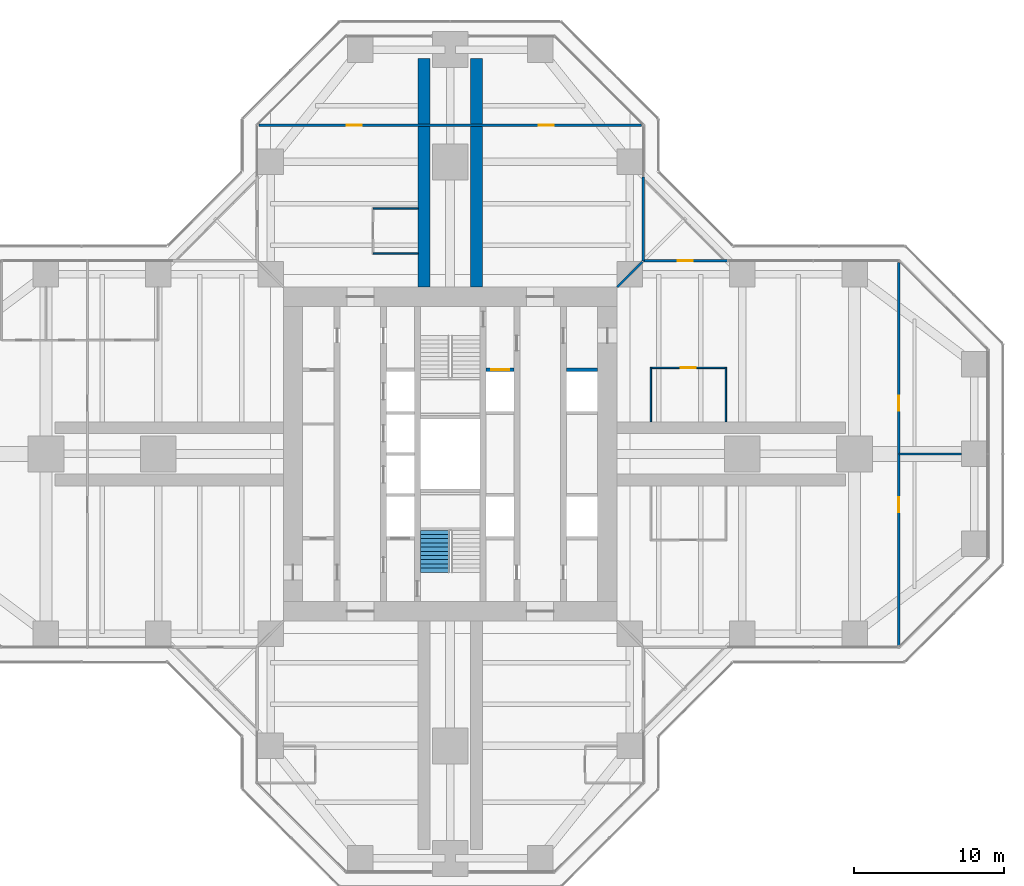
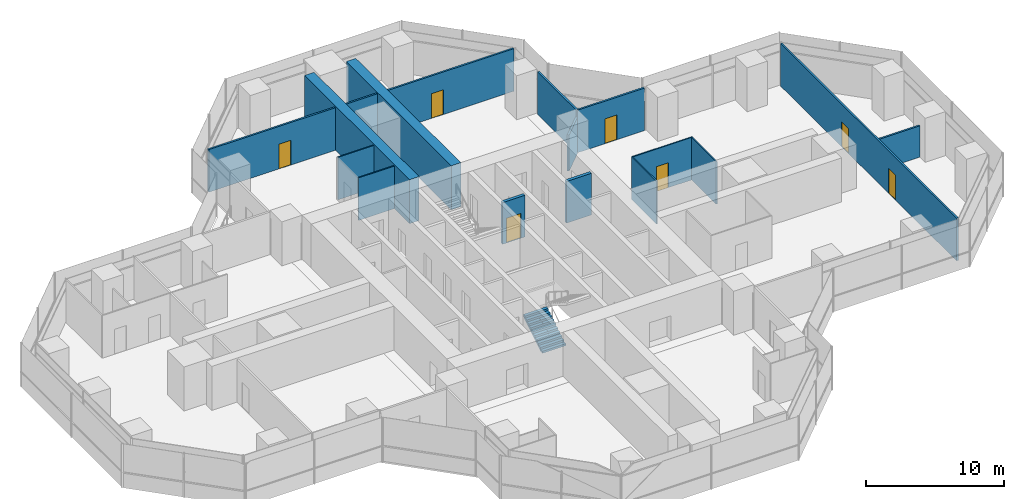
# One storey, part 17 of 19: 15 walls, 7 doors, 1 stair flight, 7 openings, 1 element without a shape of its own.
"""IFC4 building model written with IfcOpenShell, lengths in metres."""

from ifc_helpers import new_model, si_unit, direction, frame, frame_2d, origin, place, context, subcontext, project, spatial, polyline, rectangle, outline, extrude, material, layer, layer_set, type_object, element, fill, aggregate, save


model = new_model("IFC4")

# Units and contexts
model_context = context("Model", 3, precision=1e-05, world=origin(), true_north=direction((0.0, 1.0)))
body_context = subcontext(model_context, "Body", "Model", "MODEL_VIEW")
ifc_project = project(units=[si_unit("LENGTHUNIT", "METRE"), si_unit("AREAUNIT", "SQUARE_METRE"), si_unit("VOLUMEUNIT", "CUBIC_METRE"), si_unit("PLANEANGLEUNIT", "RADIAN"), si_unit("MASSUNIT", "GRAM", prefix="KILO")], contexts=[model_context])

# Site, building, storey
site_placement = place(None, origin())
site = spatial("IfcSite", under=ifc_project, at=site_placement, CompositionType="ELEMENT")
building_placement = place(site_placement, origin())
building = spatial("IfcBuilding", under=site, at=building_placement, Name="Mizan Broadcast Tower", CompositionType="ELEMENT")
storey_placement = place(building_placement, frame((0.0, 0.0, 167.10009765625)))
storey = spatial("IfcBuildingStorey", under=building, at=storey_placement, Name="L38", CompositionType="ELEMENT", Elevation=167.10009765625)

# Wall, opening, door
ifc_material_1 = material(Name="Aluminium framed glazed screen", Category="aluminium")
ifc_layer_1 = layer(ifc_material_1, 0.159912109375)
ifc_layer_set_1 = layer_set([ifc_layer_1], Name="Aluminium framed glazed screen")
wall_type_1 = type_object("IfcWallType", Name="GLAZED SCREEN WALL 160", PredefinedType="SOLIDWALL", material=ifc_layer_set_1)
wall_1_placement = place(storey_placement, frame((18.5, 12.89990234375, 0.0), z_axis=(0.0, 0.0, 1.0), x_axis=(-1.0, 0.0, 0.0)))
wall_1 = element("IfcWall", 1, at=wall_1_placement, inside=storey, type_object=wall_type_1, Name="Winter garden screen L38 E", PredefinedType="SOLIDWALL", context=body_context, shape_type="SweptSolid", body=[
    extrude(rectangle(XDim=5.60009765625, YDim=0.159912109375, at=frame_2d((2.800048828125, 0.0))), origin(), (0.0, 0.0, 1.0), 3.77001953125),
])
opening_1_placement = place(wall_1_placement, frame((2.300048828125, 0.0, 0.0)))
opening_1 = element("IfcOpeningElement", 2, at=opening_1_placement, cuts=wall_1, Name="Opening WGD", PredefinedType="OPENING", context=body_context, shape_type="SweptSolid", body=[
    extrude(rectangle(XDim=1.0, YDim=2.199951171875, at=frame_2d((0.5, 1.10009765625))), frame((0.0, 0.08984375, 0.0), z_axis=(0.0, -1.0, 0.0), x_axis=(1.0, 0.0, 0.0)), (0.0, 0.0, 1.0), 0.179931640625),
])
ifc_material_2 = material(Name="Aluminium framed glazed door", Category="aluminium")
door_type_1 = type_object("IfcDoorType", Name="WINTER GARDEN DOOR 1000 GLAZED", OperationType="SINGLE_SWING_LEFT", PredefinedType="DOOR", material=ifc_material_2)
door_1_placement = place(opening_1_placement, origin())
door_1 = element("IfcDoor", 3, at=door_1_placement, inside=storey, type_object=door_type_1, Name="Winter garden door L38 E", OperationType="SINGLE_SWING_RIGHT", OverallHeight=2.199951171875, OverallWidth=1.0, PredefinedType="DOOR", context=body_context, shape_type="SweptSolid", body=[
    extrude(rectangle(XDim=1.0, YDim=2.199951171875, at=frame_2d((0.5, 1.10009765625))), frame((0.0, 0.02490234375, 0.0), z_axis=(0.0, -1.0, 0.0), x_axis=(1.0, 0.0, 0.0)), (0.0, 0.0, 1.0), 0.050048828125),
])
fill(opening_1, door_1)

# Wall
wall_2_placement = place(storey_placement, frame((12.89990234375, 12.89990234375, 0.0), z_axis=(0.0, 0.0, 1.0), x_axis=(0.0, 1.0, 0.0)))
element("IfcWall", 4, at=wall_2_placement, inside=storey, type_object=wall_type_1, Name="Winter garden screen L38 N", PredefinedType="SOLIDWALL", context=body_context, shape_type="SweptSolid", body=[
    extrude(rectangle(XDim=5.60009765625, YDim=0.159912109375, at=frame_2d((2.800048828125, 0.0))), origin(), (0.0, 0.0, 1.0), 3.77001953125),
])

# Wall, opening, door
ifc_material_3 = material(Name="Concrete blockwork", Category="masonry")
ifc_layer_2 = layer(ifc_material_3, 0.25)
ifc_layer_set_2 = layer_set([ifc_layer_2], Name="Concrete blockwork")
wall_type_2 = type_object("IfcWallType", Name="LOBBY ENCLOSURE WALL 250", PredefinedType="SOLIDWALL", material=ifc_layer_set_2)
wall_3_placement = place(storey_placement, frame((2.39990234375, 5.625, 0.0), z_axis=(0.0, 0.0, 1.0), x_axis=(1.0, 0.0, 0.0)))
wall_3 = element("IfcWall", 5, at=wall_3_placement, inside=storey, type_object=wall_type_2, Name="Lobby enclosure wall CORE/BE2N", PredefinedType="SOLIDWALL", context=body_context, shape_type="SweptSolid", body=[
    extrude(rectangle(XDim=1.85009765625, YDim=0.25, at=frame_2d((0.925048828125, 0.0))), origin(), (0.0, 0.0, 1.0), 3.699951171875),
])
opening_2_placement = place(wall_3_placement, frame((0.324951171875, 0.0, 0.0)))
opening_2 = element("IfcOpeningElement", 6, at=opening_2_placement, cuts=wall_3, Name="Opening LDF", PredefinedType="OPENING", context=body_context, shape_type="SweptSolid", body=[
    extrude(rectangle(XDim=1.199951171875, YDim=2.199951171875, at=frame_2d((0.60009765625, 1.10009765625))), frame((0.0, 0.135009765625, 0.0), z_axis=(0.0, -1.0, 0.0), x_axis=(1.0, 0.0, 0.0)), (0.0, 0.0, 1.0), 0.27001953125),
])
ifc_material_4 = material(Name="Steel door leaf in steel frame", Category="steel")
door_type_2 = type_object("IfcDoorType", Name="FIREFIGHTING LIFT LANDING DOOR 1200", OperationType="SLIDING_TO_LEFT", PredefinedType="DOOR", material=ifc_material_4)
door_2_placement = place(opening_2_placement, origin())
door_2 = element("IfcDoor", 7, at=door_2_placement, inside=storey, type_object=door_type_2, Name="Landing door FF2", OperationType="SLIDING_TO_LEFT", OverallHeight=2.199951171875, OverallWidth=1.199951171875, PredefinedType="DOOR", context=body_context, shape_type="SweptSolid", body=[
    extrude(rectangle(XDim=1.199951171875, YDim=2.199951171875, at=frame_2d((0.60009765625, 1.10009765625))), frame((0.0, 0.02490234375, 0.0), z_axis=(0.0, -1.0, 0.0), x_axis=(1.0, 0.0, 0.0)), (0.0, 0.0, 1.0), 0.050048828125),
])
fill(opening_2, door_2)

# Wall
wall_4_placement = place(storey_placement, frame((7.75, 5.625, 0.0), z_axis=(0.0, 0.0, 1.0), x_axis=(1.0, 0.0, 0.0)))
element("IfcWall", 8, at=wall_4_placement, inside=storey, type_object=wall_type_2, Name="Lobby enclosure wall CORE/BE1N", PredefinedType="SOLIDWALL", context=body_context, shape_type="SweptSolid", body=[
    extrude(rectangle(XDim=2.10009765625, YDim=0.25, at=frame_2d((1.050048828125, 0.0))), origin(), (0.0, 0.0, 1.0), 3.699951171875),
])

# Wall, openings, doors
ifc_material_5 = material(Name="Gypsum board on steel studs", Category="steel")
ifc_layer_3 = layer(ifc_material_5, 0.14990234375)
ifc_layer_set_3 = layer_set([ifc_layer_3], Name="Gypsum board on steel studs")
wall_type_3 = type_object("IfcWallType", Name="PARTITION 150", PredefinedType="PARTITIONING", material=ifc_layer_set_3)
wall_5_placement = place(storey_placement, frame((29.958984375, -12.786376953125, 0.0), z_axis=(0.0, 0.0, 1.0), x_axis=(0.0, 1.0, 0.0)))
wall_5 = element("IfcWall", 9, at=wall_5_placement, inside=storey, type_object=wall_type_3, Name="Partition PT/EX1", PredefinedType="PARTITIONING", context=body_context, shape_type="SweptSolid", body=[
    extrude(rectangle(XDim=25.57275390625, YDim=0.14990234375, at=frame_2d((12.786376953125, 0.0))), origin(), (0.0, 0.0, 1.0), 3.77001953125),
])
opening_3_placement = place(wall_5_placement, frame((15.6865234375, 0.0, 0.0)))
opening_3 = element("IfcOpeningElement", 10, at=opening_3_placement, cuts=wall_5, Name="Opening D10", PredefinedType="OPENING", context=body_context, shape_type="SweptSolid", body=[
    extrude(rectangle(XDim=1.0, YDim=2.199951171875, at=frame_2d((0.5, 1.10009765625))), frame((0.0, 0.0849609375, 0.0), z_axis=(0.0, -1.0, 0.0), x_axis=(1.0, 0.0, 0.0)), (0.0, 0.0, 1.0), 0.169921875),
])
opening_4_placement = place(wall_5_placement, frame((8.886474609375, 0.0, 0.0)))
opening_4 = element("IfcOpeningElement", 11, at=opening_4_placement, cuts=wall_5, Name="Opening D10", PredefinedType="OPENING", context=body_context, shape_type="SweptSolid", body=[
    extrude(rectangle(XDim=1.0, YDim=2.199951171875, at=frame_2d((0.5, 1.10009765625))), frame((0.0, 0.0849609375, 0.0), z_axis=(0.0, -1.0, 0.0), x_axis=(1.0, 0.0, 0.0)), (0.0, 0.0, 1.0), 0.169921875),
])
ifc_material_6 = material(Name="Timber door leaf in aluminium frame", Category="wood")
door_type_3 = type_object("IfcDoorType", Name="ROOM DOOR 1000", OperationType="SINGLE_SWING_LEFT", PredefinedType="DOOR", material=ifc_material_6)
door_3_placement = place(opening_3_placement, origin())
door_3 = element("IfcDoor", 12, at=door_3_placement, inside=storey, type_object=door_type_3, Name="Archive reading room door", OperationType="SINGLE_SWING_RIGHT", OverallHeight=2.199951171875, OverallWidth=1.0, PredefinedType="DOOR", context=body_context, shape_type="SweptSolid", body=[
    extrude(rectangle(XDim=1.0, YDim=2.199951171875, at=frame_2d((0.5, 1.10009765625))), frame((0.0, 0.02490234375, 0.0), z_axis=(0.0, -1.0, 0.0), x_axis=(1.0, 0.0, 0.0)), (0.0, 0.0, 1.0), 0.050048828125),
])
fill(opening_3, door_3)
door_4_placement = place(opening_4_placement, origin())
door_4 = element("IfcDoor", 13, at=door_4_placement, inside=storey, type_object=door_type_3, Name="Archive reading room door", OperationType="SINGLE_SWING_LEFT", OverallHeight=2.199951171875, OverallWidth=1.0, PredefinedType="DOOR", context=body_context, shape_type="SweptSolid", body=[
    extrude(rectangle(XDim=1.0, YDim=2.199951171875, at=frame_2d((0.5, 1.10009765625))), frame((0.0, 0.02490234375, 0.0), z_axis=(0.0, -1.0, 0.0), x_axis=(1.0, 0.0, 0.0)), (0.0, 0.0, 1.0), 0.050048828125),
])
fill(opening_4, door_4)

# Wall
wall_6_placement = place(storey_placement, frame((29.958984375, 0.0, 0.0), z_axis=(0.0, 0.0, 1.0), x_axis=(1.0, 0.0, 0.0)))
element("IfcWall", 14, at=wall_6_placement, inside=storey, type_object=wall_type_3, Name="Partition PT/EES", PredefinedType="PARTITIONING", context=body_context, shape_type="SweptSolid", body=[
    extrude(rectangle(XDim=4.19091796875, YDim=0.14990234375, at=frame_2d((2.095458984375, 0.0))), origin(), (0.0, 0.0, 1.0), 2.77001953125),
])

# Wall, openings, doors
wall_7_placement = place(storey_placement, frame((12.786376953125, 21.958984375, 0.0), z_axis=(0.0, 0.0, 1.0), x_axis=(-1.0, 0.0, 0.0)))
wall_7 = element("IfcWall", 15, at=wall_7_placement, inside=storey, type_object=wall_type_3, Name="Partition PT/NX1", PredefinedType="PARTITIONING", context=body_context, shape_type="SweptSolid", body=[
    extrude(rectangle(XDim=25.57275390625, YDim=0.14990234375, at=frame_2d((12.786376953125, 0.0))), origin(), (0.0, 0.0, 1.0), 3.77001953125),
])
opening_5_placement = place(wall_7_placement, frame((18.6865234375, 0.0, 0.0)))
opening_5 = element("IfcOpeningElement", 16, at=opening_5_placement, cuts=wall_7, Name="Opening D10", PredefinedType="OPENING", context=body_context, shape_type="SweptSolid", body=[
    extrude(rectangle(XDim=1.0, YDim=2.199951171875, at=frame_2d((0.5, 1.10009765625))), frame((0.0, 0.0849609375, 0.0), z_axis=(0.0, -1.0, 0.0), x_axis=(1.0, 0.0, 0.0)), (0.0, 0.0, 1.0), 0.169921875),
])
opening_6_placement = place(wall_7_placement, frame((5.886474609375, 0.0, 0.0)))
opening_6 = element("IfcOpeningElement", 17, at=opening_6_placement, cuts=wall_7, Name="Opening D10", PredefinedType="OPENING", context=body_context, shape_type="SweptSolid", body=[
    extrude(rectangle(XDim=1.0, YDim=2.199951171875, at=frame_2d((0.5, 1.10009765625))), frame((0.0, 0.0849609375, 0.0), z_axis=(0.0, -1.0, 0.0), x_axis=(1.0, 0.0, 0.0)), (0.0, 0.0, 1.0), 0.169921875),
])
door_5_placement = place(opening_5_placement, origin())
door_5 = element("IfcDoor", 18, at=door_5_placement, inside=storey, type_object=door_type_3, Name="Meeting room door", OperationType="SINGLE_SWING_RIGHT", OverallHeight=2.199951171875, OverallWidth=1.0, PredefinedType="DOOR", context=body_context, shape_type="SweptSolid", body=[
    extrude(rectangle(XDim=1.0, YDim=2.199951171875, at=frame_2d((0.5, 1.10009765625))), frame((0.0, 0.02490234375, 0.0), z_axis=(0.0, -1.0, 0.0), x_axis=(1.0, 0.0, 0.0)), (0.0, 0.0, 1.0), 0.050048828125),
])
fill(opening_5, door_5)
door_6_placement = place(opening_6_placement, origin())
door_6 = element("IfcDoor", 19, at=door_6_placement, inside=storey, type_object=door_type_3, Name="Meeting room door", OperationType="SINGLE_SWING_LEFT", OverallHeight=2.199951171875, OverallWidth=1.0, PredefinedType="DOOR", context=body_context, shape_type="SweptSolid", body=[
    extrude(rectangle(XDim=1.0, YDim=2.199951171875, at=frame_2d((0.5, 1.10009765625))), frame((0.0, 0.02490234375, 0.0), z_axis=(0.0, -1.0, 0.0), x_axis=(1.0, 0.0, 0.0)), (0.0, 0.0, 1.0), 0.050048828125),
])
fill(opening_6, door_6)

# Walls
wall_8_placement = place(storey_placement, frame((11.14990234375, 11.14990234375, 0.0), z_axis=(0.0, 0.0, 1.0), x_axis=(0.707106781187, 0.707106781187, 0.0)))
element("IfcWall", 20, at=wall_8_placement, inside=storey, type_object=wall_type_3, Name="Partition PT/DGEN", PredefinedType="PARTITIONING", context=body_context, shape_type="SweptSolid", body=[
    extrude(rectangle(XDim=2.362060546875, YDim=0.14990234375, at=frame_2d((1.18115234375, 0.0))), origin(), (0.0, 0.0, 1.0), 3.219970703125),
])
ifc_material_7 = material(Name="Glazed aluminium partition on aluminium track", Category="aluminium")
ifc_layer_4 = layer(ifc_material_7, 0.10009765625)
ifc_layer_set_4 = layer_set([ifc_layer_4], Name="Glazed aluminium partition on aluminium track")
wall_type_4 = type_object("IfcWallType", Name="PARTITION GLAZED OFFICE FRONT 100", PredefinedType="PARTITIONING", material=ifc_layer_set_4)
for number, where, z_axis, x_axis, name in (
    (21, (13.39990234375, 2.14990234375, 0.0), (0.0, 0.0, 1.0), (0.0, 1.0, 0.0), "Glazed office front PT/EKP0a"),
    (22, (18.39990234375, 2.14990234375, 0.0), (0.0, 0.0, 1.0), (0.0, 1.0, 0.0), "Glazed office front PT/EKP0b"),
):
    element("IfcWall", number, at=place(storey_placement, frame(where, z_axis=z_axis, x_axis=x_axis)), inside=storey, type_object=wall_type_4, Name=name, PredefinedType="PARTITIONING", context=body_context, shape_type="SweptSolid", body=[
        extrude(rectangle(XDim=3.60009765625, YDim=0.10009765625, at=frame_2d((1.800048828125, 0.0))), origin(), (0.0, 0.0, 1.0), 3.77001953125),
    ])

# Wall, opening, door
wall_9_placement = place(storey_placement, frame((13.35009765625, 5.75, 0.0), z_axis=(0.0, 0.0, 1.0), x_axis=(1.0, 0.0, 0.0)))
wall_9 = element("IfcWall", 23, at=wall_9_placement, inside=storey, type_object=wall_type_4, Name="Glazed office front PT/EKP0f", PredefinedType="PARTITIONING", context=body_context, shape_type="SweptSolid", body=[
    extrude(rectangle(XDim=5.099853515625, YDim=0.10009765625, at=frame_2d((2.5498046875, 0.0))), origin(), (0.0, 0.0, 1.0), 3.77001953125),
])
opening_7_placement = place(wall_9_placement, frame((2.050048828125, 0.0, 0.0)))
opening_7 = element("IfcOpeningElement", 24, at=opening_7_placement, cuts=wall_9, Name="Opening D10O", PredefinedType="OPENING", context=body_context, shape_type="SweptSolid", body=[
    extrude(rectangle(XDim=1.0, YDim=2.199951171875, at=frame_2d((0.5, 1.10009765625))), frame((0.0, 0.06005859375, 0.0), z_axis=(0.0, -1.0, 0.0), x_axis=(1.0, 0.0, 0.0)), (0.0, 0.0, 1.0), 0.1201171875),
])
ifc_material_8 = material(Name="Timber door leaf in aluminium frame", Category="wood")
door_type_4 = type_object("IfcDoorType", Name="OFFICE DOOR 1000 GLAZED", OperationType="SINGLE_SWING_LEFT", PredefinedType="DOOR", material=ifc_material_8)
door_7_placement = place(opening_7_placement, origin())
door_7 = element("IfcDoor", 25, at=door_7_placement, inside=storey, type_object=door_type_4, Name="Archive room door", OperationType="SINGLE_SWING_LEFT", OverallHeight=2.199951171875, OverallWidth=1.0, PredefinedType="DOOR", context=body_context, shape_type="SweptSolid", body=[
    extrude(rectangle(XDim=1.0, YDim=2.199951171875, at=frame_2d((0.5, 1.10009765625))), frame((0.0, 0.02490234375, 0.0), z_axis=(0.0, -1.0, 0.0), x_axis=(1.0, 0.0, 0.0)), (0.0, 0.0, 1.0), 0.050048828125),
])
fill(opening_7, door_7)

# Walls
for number, where, z_axis, x_axis, name in (
    (26, (-2.14990234375, 13.39990234375, 0.0), (0.0, 0.0, 1.0), (-1.0, 0.0, 0.0), "Glazed office front PT/NKP0a"),
    (27, (-2.14990234375, 16.39990234375, 0.0), (0.0, 0.0, 1.0), (-1.0, 0.0, 0.0), "Glazed office front PT/NKP0b"),
):
    element("IfcWall", number, at=place(storey_placement, frame(where, z_axis=z_axis, x_axis=x_axis)), inside=storey, type_object=wall_type_4, Name=name, PredefinedType="PARTITIONING", context=body_context, shape_type="SweptSolid", body=[
        extrude(rectangle(XDim=3.0, YDim=0.10009765625, at=frame_2d((1.5, 0.0))), origin(), (0.0, 0.0, 1.0), 3.77001953125),
    ])
ifc_material_9 = material(Name="Concrete C70/85", Category="concrete")
ifc_layer_5 = layer(ifc_material_9, 0.800048828125)
ifc_layer_set_5 = layer_set([ifc_layer_5], Name="Concrete C70/85")
wall_type_5 = type_object("IfcWallType", Name="SPINE WALL 800", PredefinedType="SHEAR", material=ifc_layer_set_5)
for number, where, z_axis, x_axis, name in (
    (28, (1.75, 11.14990234375, 0.0), (0.0, 0.0, 1.0), (0.0, 1.0, 0.0), "Spine wall NR L38"),
    (29, (-1.75, 11.14990234375, 0.0), (0.0, 0.0, 1.0), (0.0, 1.0, 0.0), "Spine wall NL L38"),
):
    element("IfcWall", number, at=place(storey_placement, frame(where, z_axis=z_axis, x_axis=x_axis)), inside=storey, type_object=wall_type_5, Name=name, PredefinedType="SHEAR", context=body_context, shape_type="SweptSolid", body=[
        extrude(rectangle(XDim=15.25, YDim=0.800048828125, at=frame_2d((7.625, 0.0))), origin(), (0.0, 0.0, 1.0), 3.89990234375),
    ])

# Stair, stair flight
ifc_material_10 = material(Name="Concrete C40/50", Category="concrete")
stair_type = type_object("IfcStairType", Name="EXIT STAIR", PredefinedType="HALF_TURN_STAIR", material=ifc_material_10)
stair_placement = place(storey_placement, origin())
stair = element("IfcStair", 30, at=stair_placement, inside=storey, type_object=stair_type, Name="Stair A L38", PredefinedType="HALF_TURN_STAIR")
ifc_material_11 = material(Name="Concrete C40/50", Category="concrete")
stair_flight_type = type_object("IfcStairFlightType", Name="EXIT STAIR FLIGHT", PredefinedType="STRAIGHT", material=ifc_material_11)
stair_flight_placement = place(storey_placement, frame((-1.02490234375, -7.89990234375, 0.0), z_axis=(0.0, 0.0, 1.0), x_axis=(0.0, 1.0, 0.0)))
stair_flight = element("IfcStairFlight", 31, at=stair_flight_placement, type_object=stair_flight_type, Name="A flight 1", NumberOfRisers=11, NumberOfTreads=10, PredefinedType="STRAIGHT", RiserHeight=0.177272727, TreadLength=0.28, context=body_context, shape_type="SweptSolid", body=[
    extrude(outline(polyline([(0.0, 0.0), (0.0, 0.17724609375), (0.280029296875, 0.17724609375), (0.280029296875, 0.3544921875), (0.56005859375, 0.3544921875), (0.56005859375, 0.53173828125), (0.840087890625, 0.53173828125), (0.840087890625, 0.708984375), (1.1201171875, 0.708984375), (1.1201171875, 0.886474609375), (1.39990234375, 0.886474609375), (1.39990234375, 1.063720703125), (1.679931640625, 1.063720703125), (1.679931640625, 1.240966796875), (1.9599609375, 1.240966796875), (1.9599609375, 1.418212890625), (2.239990234375, 1.418212890625), (2.239990234375, 1.595458984375), (2.52001953125, 1.595458984375), (2.52001953125, 1.772705078125), (2.800048828125, 1.772705078125), (2.800048828125, 1.949951171875), (2.800048828125, 1.59521484375), (0.2802734375, 0.0), (0.0, 0.0)])), frame((0.0, 0.97509765625, 0.0), z_axis=(0.0, -1.0, 0.0), x_axis=(1.0, 0.0, 0.0)), (0.0, 0.0, 1.0), 0.4873046875),
    extrude(outline(polyline([(0.0, 0.0), (0.0, 0.17724609375), (0.280029296875, 0.17724609375), (0.280029296875, 0.3544921875), (0.56005859375, 0.3544921875), (0.56005859375, 0.53173828125), (0.840087890625, 0.53173828125), (0.840087890625, 0.708984375), (1.1201171875, 0.708984375), (1.1201171875, 0.886474609375), (1.39990234375, 0.886474609375), (1.39990234375, 1.063720703125), (1.679931640625, 1.063720703125), (1.679931640625, 1.240966796875), (1.9599609375, 1.240966796875), (1.9599609375, 1.418212890625), (2.239990234375, 1.418212890625), (2.239990234375, 1.595458984375), (2.52001953125, 1.595458984375), (2.52001953125, 1.772705078125), (2.800048828125, 1.772705078125), (2.800048828125, 1.949951171875), (2.800048828125, 1.59521484375), (0.2802734375, 0.0), (0.0, 0.0)])), frame((0.0, 0.4873046875, 0.0), z_axis=(0.0, -1.0, 0.0), x_axis=(1.0, 0.0, 0.0)), (0.0, 0.0, 1.0), 0.2431640625),
    extrude(outline(polyline([(0.0, 0.0), (0.0, 0.17724609375), (0.280029296875, 0.17724609375), (0.280029296875, 0.3544921875), (0.56005859375, 0.3544921875), (0.56005859375, 0.53173828125), (0.840087890625, 0.53173828125), (0.840087890625, 0.708984375), (1.1201171875, 0.708984375), (1.1201171875, 0.886474609375), (1.39990234375, 0.886474609375), (1.39990234375, 1.063720703125), (1.679931640625, 1.063720703125), (1.679931640625, 1.240966796875), (1.9599609375, 1.240966796875), (1.9599609375, 1.418212890625), (2.239990234375, 1.418212890625), (2.239990234375, 1.595458984375), (2.52001953125, 1.595458984375), (2.52001953125, 1.772705078125), (2.800048828125, 1.772705078125), (2.800048828125, 1.949951171875), (2.800048828125, 1.59521484375), (0.2802734375, 0.0), (0.0, 0.0)])), frame((0.0, 0.24365234375, 0.0), z_axis=(0.0, -1.0, 0.0), x_axis=(1.0, 0.0, 0.0)), (0.0, 0.0, 1.0), 0.121337890625),
    extrude(outline(polyline([(0.0, 0.0), (0.0, 0.17724609375), (0.280029296875, 0.17724609375), (0.280029296875, 0.3544921875), (0.56005859375, 0.3544921875), (0.56005859375, 0.53173828125), (0.840087890625, 0.53173828125), (0.840087890625, 0.708984375), (1.1201171875, 0.708984375), (1.1201171875, 0.886474609375), (1.39990234375, 0.886474609375), (1.39990234375, 1.063720703125), (1.679931640625, 1.063720703125), (1.679931640625, 1.240966796875), (1.9599609375, 1.240966796875), (1.9599609375, 1.418212890625), (2.239990234375, 1.418212890625), (2.239990234375, 1.595458984375), (2.52001953125, 1.595458984375), (2.52001953125, 1.772705078125), (2.800048828125, 1.772705078125), (2.800048828125, 1.949951171875), (2.800048828125, 1.59521484375), (0.2802734375, 0.0), (0.0, 0.0)])), frame((0.0, 0.121826171875, 0.0), z_axis=(0.0, -1.0, 0.0), x_axis=(1.0, 0.0, 0.0)), (0.0, 0.0, 1.0), 0.060546875),
    extrude(outline(polyline([(0.0, 0.0), (0.0, 0.17724609375), (0.280029296875, 0.17724609375), (0.280029296875, 0.3544921875), (0.56005859375, 0.3544921875), (0.56005859375, 0.53173828125), (0.840087890625, 0.53173828125), (0.840087890625, 0.708984375), (1.1201171875, 0.708984375), (1.1201171875, 0.886474609375), (1.39990234375, 0.886474609375), (1.39990234375, 1.063720703125), (1.679931640625, 1.063720703125), (1.679931640625, 1.240966796875), (1.9599609375, 1.240966796875), (1.9599609375, 1.418212890625), (2.239990234375, 1.418212890625), (2.239990234375, 1.595458984375), (2.52001953125, 1.595458984375), (2.52001953125, 1.772705078125), (2.800048828125, 1.772705078125), (2.800048828125, 1.949951171875), (2.800048828125, 1.59521484375), (0.2802734375, 0.0), (0.0, 0.0)])), frame((0.0, 0.060791015625, 0.0), z_axis=(0.0, -1.0, 0.0), x_axis=(1.0, 0.0, 0.0)), (0.0, 0.0, 1.0), 0.030029296875),
    extrude(outline(polyline([(0.0, 0.0), (0.0, 0.17724609375), (0.280029296875, 0.17724609375), (0.280029296875, 0.3544921875), (0.56005859375, 0.3544921875), (0.56005859375, 0.53173828125), (0.840087890625, 0.53173828125), (0.840087890625, 0.708984375), (1.1201171875, 0.708984375), (1.1201171875, 0.886474609375), (1.39990234375, 0.886474609375), (1.39990234375, 1.063720703125), (1.679931640625, 1.063720703125), (1.679931640625, 1.240966796875), (1.9599609375, 1.240966796875), (1.9599609375, 1.418212890625), (2.239990234375, 1.418212890625), (2.239990234375, 1.595458984375), (2.52001953125, 1.595458984375), (2.52001953125, 1.772705078125), (2.800048828125, 1.772705078125), (2.800048828125, 1.949951171875), (2.800048828125, 1.59521484375), (0.2802734375, 0.0), (0.0, 0.0)])), frame((0.0, 0.0302734375, 0.0), z_axis=(0.0, -1.0, 0.0), x_axis=(1.0, 0.0, 0.0)), (0.0, 0.0, 1.0), 0.060302734375),
    extrude(outline(polyline([(0.0, 0.0), (0.0, 0.17724609375), (0.280029296875, 0.17724609375), (0.280029296875, 0.3544921875), (0.56005859375, 0.3544921875), (0.56005859375, 0.53173828125), (0.840087890625, 0.53173828125), (0.840087890625, 0.708984375), (1.1201171875, 0.708984375), (1.1201171875, 0.886474609375), (1.39990234375, 0.886474609375), (1.39990234375, 1.063720703125), (1.679931640625, 1.063720703125), (1.679931640625, 1.240966796875), (1.9599609375, 1.240966796875), (1.9599609375, 1.418212890625), (2.239990234375, 1.418212890625), (2.239990234375, 1.595458984375), (2.52001953125, 1.595458984375), (2.52001953125, 1.772705078125), (2.800048828125, 1.772705078125), (2.800048828125, 1.949951171875), (2.800048828125, 1.59521484375), (0.2802734375, 0.0), (0.0, 0.0)])), frame((0.0, -0.030517578125, 0.0), z_axis=(0.0, -1.0, 0.0), x_axis=(1.0, 0.0, 0.0)), (0.0, 0.0, 1.0), 0.030029296875),
    extrude(outline(polyline([(0.0, 0.0), (0.0, 0.17724609375), (0.280029296875, 0.17724609375), (0.280029296875, 0.3544921875), (0.56005859375, 0.3544921875), (0.56005859375, 0.53173828125), (0.840087890625, 0.53173828125), (0.840087890625, 0.708984375), (1.1201171875, 0.708984375), (1.1201171875, 0.886474609375), (1.39990234375, 0.886474609375), (1.39990234375, 1.063720703125), (1.679931640625, 1.063720703125), (1.679931640625, 1.240966796875), (1.9599609375, 1.240966796875), (1.9599609375, 1.418212890625), (2.239990234375, 1.418212890625), (2.239990234375, 1.595458984375), (2.52001953125, 1.595458984375), (2.52001953125, 1.772705078125), (2.800048828125, 1.772705078125), (2.800048828125, 1.949951171875), (2.800048828125, 1.59521484375), (0.2802734375, 0.0), (0.0, 0.0)])), frame((0.0, -0.06103515625, 0.0), z_axis=(0.0, -1.0, 0.0), x_axis=(1.0, 0.0, 0.0)), (0.0, 0.0, 1.0), 0.060546875),
    extrude(outline(polyline([(0.0, 0.0), (0.0, 0.17724609375), (0.280029296875, 0.17724609375), (0.280029296875, 0.3544921875), (0.56005859375, 0.3544921875), (0.56005859375, 0.53173828125), (0.840087890625, 0.53173828125), (0.840087890625, 0.708984375), (1.1201171875, 0.708984375), (1.1201171875, 0.886474609375), (1.39990234375, 0.886474609375), (1.39990234375, 1.063720703125), (1.679931640625, 1.063720703125), (1.679931640625, 1.240966796875), (1.9599609375, 1.240966796875), (1.9599609375, 1.418212890625), (2.239990234375, 1.418212890625), (2.239990234375, 1.595458984375), (2.52001953125, 1.595458984375), (2.52001953125, 1.772705078125), (2.800048828125, 1.772705078125), (2.800048828125, 1.949951171875), (2.800048828125, 1.59521484375), (0.2802734375, 0.0), (0.0, 0.0)])), frame((0.0, -0.1220703125, 0.0), z_axis=(0.0, -1.0, 0.0), x_axis=(1.0, 0.0, 0.0)), (0.0, 0.0, 1.0), 0.121337890625),
    extrude(outline(polyline([(0.0, 0.0), (0.0, 0.17724609375), (0.280029296875, 0.17724609375), (0.280029296875, 0.3544921875), (0.56005859375, 0.3544921875), (0.56005859375, 0.53173828125), (0.840087890625, 0.53173828125), (0.840087890625, 0.708984375), (1.1201171875, 0.708984375), (1.1201171875, 0.886474609375), (1.39990234375, 0.886474609375), (1.39990234375, 1.063720703125), (1.679931640625, 1.063720703125), (1.679931640625, 1.240966796875), (1.9599609375, 1.240966796875), (1.9599609375, 1.418212890625), (2.239990234375, 1.418212890625), (2.239990234375, 1.595458984375), (2.52001953125, 1.595458984375), (2.52001953125, 1.772705078125), (2.800048828125, 1.772705078125), (2.800048828125, 1.949951171875), (2.800048828125, 1.59521484375), (0.2802734375, 0.0), (0.0, 0.0)])), frame((0.0, -0.243896484375, 0.0), z_axis=(0.0, -1.0, 0.0), x_axis=(1.0, 0.0, 0.0)), (0.0, 0.0, 1.0), 0.2431640625),
    extrude(outline(polyline([(0.0, 0.0), (0.0, 0.17724609375), (0.280029296875, 0.17724609375), (0.280029296875, 0.3544921875), (0.56005859375, 0.3544921875), (0.56005859375, 0.53173828125), (0.840087890625, 0.53173828125), (0.840087890625, 0.708984375), (1.1201171875, 0.708984375), (1.1201171875, 0.886474609375), (1.39990234375, 0.886474609375), (1.39990234375, 1.063720703125), (1.679931640625, 1.063720703125), (1.679931640625, 1.240966796875), (1.9599609375, 1.240966796875), (1.9599609375, 1.418212890625), (2.239990234375, 1.418212890625), (2.239990234375, 1.595458984375), (2.52001953125, 1.595458984375), (2.52001953125, 1.772705078125), (2.800048828125, 1.772705078125), (2.800048828125, 1.949951171875), (2.800048828125, 1.59521484375), (0.2802734375, 0.0), (0.0, 0.0)])), frame((0.0, -0.487548828125, 0.0), z_axis=(0.0, -1.0, 0.0), x_axis=(1.0, 0.0, 0.0)), (0.0, 0.0, 1.0), 0.4873046875),
])
aggregate(stair, [stair_flight])

save(model, "model.ifc")
